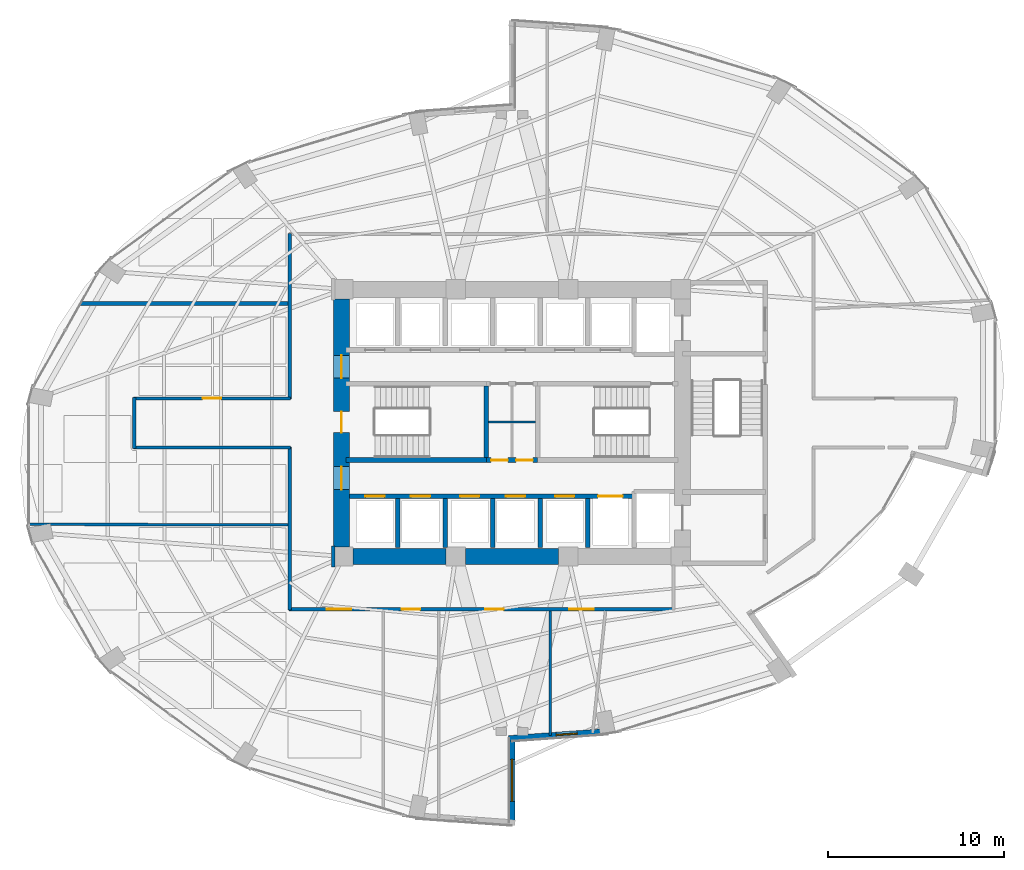
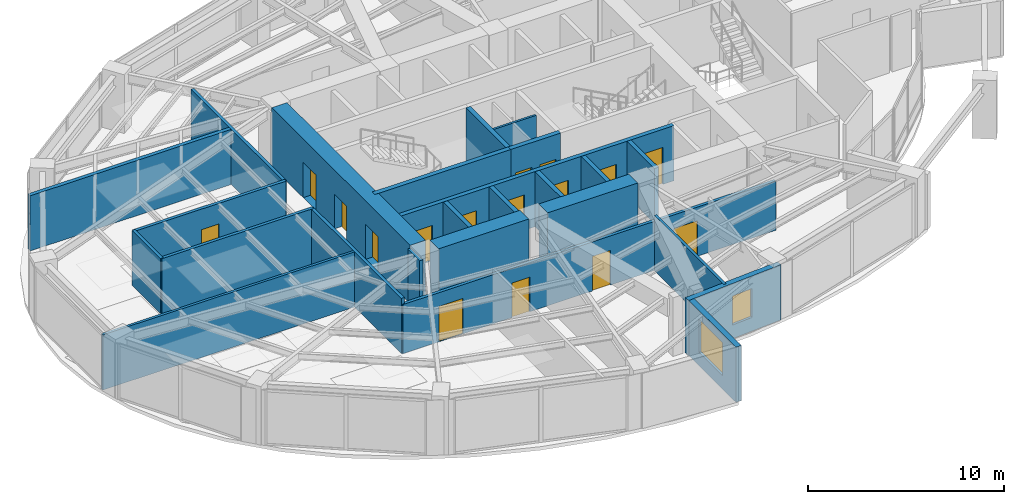
# One storey, part 20 of 24: 25 walls, 16 doors, 2 windows, 18 openings.
"""IFC4 building model written with IfcOpenShell, lengths in metres."""

from ifc_helpers import new_model, si_unit, direction, frame, frame_2d, origin, place, context, subcontext, project, spatial, rectangle, extrude, material, layer, layer_set, type_object, element, fill, save


model = new_model("IFC4")

# Units and contexts
model_context = context("Model", 3, precision=1e-05, world=origin(), true_north=direction((0.0, 1.0)))
body_context = subcontext(model_context, "Body", "Model", "MODEL_VIEW")
ifc_project = project(units=[si_unit("LENGTHUNIT", "METRE"), si_unit("AREAUNIT", "SQUARE_METRE"), si_unit("VOLUMEUNIT", "CUBIC_METRE"), si_unit("PLANEANGLEUNIT", "RADIAN"), si_unit("MASSUNIT", "GRAM", prefix="KILO")], contexts=[model_context])

# Site, building, storey
site_placement = place(None, origin())
site = spatial("IfcSite", under=ifc_project, at=site_placement, CompositionType="ELEMENT")
building_placement = place(site_placement, origin())
building = spatial("IfcBuilding", under=site, at=building_placement, Name="Lazwardi Medical Tower", CompositionType="ELEMENT")
storey_placement = place(building_placement, frame((0.0, 0.0, 61.679931640625)))
storey = spatial("IfcBuildingStorey", under=building, at=storey_placement, Name="L15", CompositionType="ELEMENT", Elevation=61.679931640625)

# Wall
ifc_material_1 = material(Name="Fire-rated gypsum board on steel stud", Category="steel")
ifc_layer_1 = layer(ifc_material_1, 0.179931640625)
ifc_layer_set_1 = layer_set([ifc_layer_1], Name="Fire-rated gypsum board on steel stud")
wall_type_1 = type_object("IfcWallType", Name="WL-COR-180", PredefinedType="PARTITIONING", material=ifc_layer_set_1)
wall_1_placement = place(storey_placement, frame((14.5, 26.56005859375, 0.0), z_axis=(0.0, 0.0, 1.0), x_axis=(0.0, 1.0, 0.0)))
element("IfcWall", 1, at=wall_1_placement, inside=storey, type_object=wall_type_1, Name="L15 Corridor partition 1", PredefinedType="PARTITIONING", context=body_context, shape_type="SweptSolid", body=[
    extrude(rectangle(XDim=2.8798828125, YDim=0.179931640625, at=frame_2d((1.43994140625, 0.0))), origin(), (0.0, 0.0, 1.0), 3.427978515625),
])

# Wall, opening, door
wall_2_placement = place(storey_placement, frame((14.4599609375, 29.39990234375, 0.0), z_axis=(0.0, 0.0, 1.0), x_axis=(1.0, 0.0, 0.0)))
wall_2 = element("IfcWall", 2, at=wall_2_placement, inside=storey, type_object=wall_type_1, Name="L15 Corridor partition 2", PredefinedType="PARTITIONING", context=body_context, shape_type="SweptSolid", body=[
    extrude(rectangle(XDim=8.929931640625, YDim=0.179931640625, at=frame_2d((4.46484375, 0.0))), origin(), (0.0, 0.0, 1.0), 3.427978515625),
])
opening_1_placement = place(wall_2_placement, frame((3.93994140625, 0.0, 0.0)))
opening_1 = element("IfcOpeningElement", 3, at=opening_1_placement, cuts=wall_2, Name="Opening D-L15-016", PredefinedType="OPENING", context=body_context, shape_type="SweptSolid", body=[
    extrude(rectangle(XDim=1.050048828125, YDim=2.14990234375, at=frame_2d((0.52490234375, 1.074951171875))), frame((0.0, 0.099853515625, 0.0), z_axis=(0.0, -1.0, 0.0), x_axis=(1.0, 0.0, 0.0)), (0.0, 0.0, 1.0), 0.199951171875),
])
ifc_material_2 = material(Name="Anti-microbial laminate hospital leaf")
door_type_1 = type_object("IfcDoorType", Name="DR-CLN-1050", OperationType="NOTDEFINED", PredefinedType="DOOR", material=ifc_material_2)
door_1_placement = place(opening_1_placement, origin())
door_1 = element("IfcDoor", 4, at=door_1_placement, inside=storey, type_object=door_type_1, Name="L15 Clinical Specialist Office Door 08", OperationType="SINGLE_SWING_LEFT", OverallHeight=2.14990234375, OverallWidth=1.050048828125, PredefinedType="DOOR", context=body_context, shape_type="SweptSolid", body=[
    extrude(rectangle(XDim=1.050048828125, YDim=2.14990234375, at=frame_2d((0.52490234375, 1.074951171875))), frame((0.0, 0.02490234375, 0.0), z_axis=(0.0, -1.0, 0.0), x_axis=(1.0, 0.0, 0.0)), (0.0, 0.0, 1.0), 0.050048828125),
])
fill(opening_1, door_1)

# Walls
wall_3_placement = place(storey_placement, frame((23.35009765625, 29.360107421875, 0.0), z_axis=(0.0, 0.0, 1.0), x_axis=(0.0, 1.0, 0.0)))
element("IfcWall", 5, at=wall_3_placement, inside=storey, type_object=wall_type_1, Name="L15 Corridor partition 3", PredefinedType="PARTITIONING", context=body_context, shape_type="SweptSolid", body=[
    extrude(rectangle(XDim=9.429931640625, YDim=0.179931640625, at=frame_2d((4.71484375, 0.0))), origin(), (0.0, 0.0, 1.0), 3.427978515625),
])
wall_4_placement = place(storey_placement, frame((25.830078125, 21.010009765625, 0.0), z_axis=(0.0, 0.0, 1.0), x_axis=(0.0, -1.0, 0.0)))
element("IfcWall", 6, at=wall_4_placement, inside=storey, type_object=wall_type_1, Name="L15 Corridor partition 15", PredefinedType="PARTITIONING", context=body_context, shape_type="SweptSolid", body=[
    extrude(rectangle(XDim=1.219970703125, YDim=0.179931640625, at=frame_2d((0.60986328125, 0.0))), origin(), (0.0, 0.0, 1.0), 3.427978515625),
])

# Wall, openings, doors
wall_5_placement = place(storey_placement, frame((45.239990234375, 17.39990234375, 0.0), z_axis=(0.0, 0.0, 1.0), x_axis=(-1.0, 0.0, 0.0)))
wall_5 = element("IfcWall", 7, at=wall_5_placement, inside=storey, type_object=wall_type_1, Name="L15 Corridor partition 17", PredefinedType="PARTITIONING", context=body_context, shape_type="SweptSolid", body=[
    extrude(rectangle(XDim=21.929931640625, YDim=0.179931640625, at=frame_2d((10.96484375, 0.0))), origin(), (0.0, 0.0, 1.0), 3.052978515625),
])
opening_2_placement = place(wall_5_placement, frame((18.39111328125, 0.0, 0.0)))
opening_2 = element("IfcOpeningElement", 8, at=opening_2_placement, cuts=wall_5, Name="Opening D-L15-009", PredefinedType="OPENING", context=body_context, shape_type="SweptSolid", body=[
    extrude(rectangle(XDim=1.39990234375, YDim=2.199951171875, at=frame_2d((0.699951171875, 1.10009765625))), frame((0.0, 0.099853515625, 0.0), z_axis=(0.0, -1.0, 0.0), x_axis=(1.0, 0.0, 0.0)), (0.0, 0.0, 1.0), 0.199951171875),
])
opening_3_placement = place(wall_5_placement, frame((14.465087890625, 0.0, 0.0)))
opening_3 = element("IfcOpeningElement", 9, at=opening_3_placement, cuts=wall_5, Name="Opening D-L15-010", PredefinedType="OPENING", context=body_context, shape_type="SweptSolid", body=[
    extrude(rectangle(XDim=1.050048828125, YDim=2.14990234375, at=frame_2d((0.52490234375, 1.074951171875))), frame((0.0, 0.099853515625, 0.0), z_axis=(0.0, -1.0, 0.0), x_axis=(1.0, 0.0, 0.0)), (0.0, 0.0, 1.0), 0.199951171875),
])
opening_4_placement = place(wall_5_placement, frame((9.715087890625, 0.0, 0.0)))
opening_4 = element("IfcOpeningElement", 10, at=opening_4_placement, cuts=wall_5, Name="Opening D-L15-011", PredefinedType="OPENING", context=body_context, shape_type="SweptSolid", body=[
    extrude(rectangle(XDim=1.050048828125, YDim=2.14990234375, at=frame_2d((0.52490234375, 1.074951171875))), frame((0.0, 0.099853515625, 0.0), z_axis=(0.0, -1.0, 0.0), x_axis=(1.0, 0.0, 0.0)), (0.0, 0.0, 1.0), 0.199951171875),
])
opening_5_placement = place(wall_5_placement, frame((4.594482421875, 0.0, 0.0)))
opening_5 = element("IfcOpeningElement", 11, at=opening_5_placement, cuts=wall_5, Name="Opening D-L15-012", PredefinedType="OPENING", context=body_context, shape_type="SweptSolid", body=[
    extrude(rectangle(XDim=1.39990234375, YDim=2.199951171875, at=frame_2d((0.699951171875, 1.10009765625))), frame((0.0, 0.099853515625, 0.0), z_axis=(0.0, -1.0, 0.0), x_axis=(1.0, 0.0, 0.0)), (0.0, 0.0, 1.0), 0.199951171875),
])
door_type_2 = type_object("IfcDoorType", Name="DR-BED-1400", OperationType="NOTDEFINED", PredefinedType="DOOR", material=ifc_material_2)
door_2_placement = place(opening_2_placement, origin())
door_2 = element("IfcDoor", 12, at=door_2_placement, inside=storey, type_object=door_type_2, Name="L15 Sky Garden Lounge Door 01", OperationType="SINGLE_SWING_RIGHT", OverallHeight=2.199951171875, OverallWidth=1.39990234375, PredefinedType="DOOR", context=body_context, shape_type="SweptSolid", body=[
    extrude(rectangle(XDim=1.39990234375, YDim=2.199951171875, at=frame_2d((0.699951171875, 1.10009765625))), frame((0.0, 0.02490234375, 0.0), z_axis=(0.0, -1.0, 0.0), x_axis=(1.0, 0.0, 0.0)), (0.0, 0.0, 1.0), 0.050048828125),
])
fill(opening_2, door_2)
door_3_placement = place(opening_5_placement, origin())
door_3 = element("IfcDoor", 13, at=door_3_placement, inside=storey, type_object=door_type_2, Name="L15 Department Reception Foyer Door 04", OperationType="SINGLE_SWING_LEFT", OverallHeight=2.199951171875, OverallWidth=1.39990234375, PredefinedType="DOOR", context=body_context, shape_type="SweptSolid", body=[
    extrude(rectangle(XDim=1.39990234375, YDim=2.199951171875, at=frame_2d((0.699951171875, 1.10009765625))), frame((0.0, 0.02490234375, 0.0), z_axis=(0.0, -1.0, 0.0), x_axis=(1.0, 0.0, 0.0)), (0.0, 0.0, 1.0), 0.050048828125),
])
fill(opening_5, door_3)
door_4_placement = place(opening_3_placement, origin())
door_4 = element("IfcDoor", 14, at=door_4_placement, inside=storey, type_object=door_type_1, Name="L15 Outpatient Consultation Suite Door 02", OperationType="SINGLE_SWING_LEFT", OverallHeight=2.14990234375, OverallWidth=1.050048828125, PredefinedType="DOOR", context=body_context, shape_type="SweptSolid", body=[
    extrude(rectangle(XDim=1.050048828125, YDim=2.14990234375, at=frame_2d((0.52490234375, 1.074951171875))), frame((0.0, 0.02490234375, 0.0), z_axis=(0.0, -1.0, 0.0), x_axis=(1.0, 0.0, 0.0)), (0.0, 0.0, 1.0), 0.050048828125),
])
fill(opening_3, door_4)
door_5_placement = place(opening_4_placement, origin())
door_5 = element("IfcDoor", 15, at=door_5_placement, inside=storey, type_object=door_type_1, Name="L15 Medical Duty Staff Room Door 03", OperationType="SINGLE_SWING_RIGHT", OverallHeight=2.14990234375, OverallWidth=1.050048828125, PredefinedType="DOOR", context=body_context, shape_type="SweptSolid", body=[
    extrude(rectangle(XDim=1.050048828125, YDim=2.14990234375, at=frame_2d((0.52490234375, 1.074951171875))), frame((0.0, 0.02490234375, 0.0), z_axis=(0.0, -1.0, 0.0), x_axis=(1.0, 0.0, 0.0)), (0.0, 0.0, 1.0), 0.050048828125),
])
fill(opening_4, door_5)

# Walls
wall_6_placement = place(storey_placement, frame((23.35009765625, 17.360107421875, 0.0), z_axis=(0.0, 0.0, 1.0), x_axis=(0.0, 1.0, 0.0)))
element("IfcWall", 16, at=wall_6_placement, inside=storey, type_object=wall_type_1, Name="L15 Corridor partition 18", PredefinedType="PARTITIONING", context=body_context, shape_type="SweptSolid", body=[
    extrude(rectangle(XDim=9.27978515625, YDim=0.179931640625, at=frame_2d((4.639892578125, 0.0))), origin(), (0.0, 0.0, 1.0), 3.427978515625),
])
wall_7_placement = place(storey_placement, frame((23.389892578125, 26.60009765625, 0.0), z_axis=(0.0, 0.0, 1.0), x_axis=(-1.0, 0.0, 0.0)))
element("IfcWall", 17, at=wall_7_placement, inside=storey, type_object=wall_type_1, Name="L15 Corridor partition 19", PredefinedType="PARTITIONING", context=body_context, shape_type="SweptSolid", body=[
    extrude(rectangle(XDim=8.929931640625, YDim=0.179931640625, at=frame_2d((4.46484375, 0.0))), origin(), (0.0, 0.0, 1.0), 3.427978515625),
])

# Wall, openings, doors
ifc_material_3 = material(Name="Concrete C80/95", Category="concrete")
ifc_layer_2 = layer(ifc_material_3, 0.89990234375)
ifc_layer_set_2 = layer_set([ifc_layer_2], Name="Concrete C80/95")
wall_type_2 = type_object("IfcWallType", Name="WL-CORE-900", PredefinedType="SHEAR", material=ifc_layer_set_2)
wall_8_placement = place(storey_placement, frame((26.300048828125, 20.949951171875, 0.0), z_axis=(0.0, 0.0, 1.0), x_axis=(0.0, 1.0, 0.0)))
wall_8 = element("IfcWall", 18, at=wall_8_placement, inside=storey, type_object=wall_type_2, Name="Core wall CW-S1 west L15", PredefinedType="SHEAR", context=body_context, shape_type="SweptSolid", body=[
    extrude(rectangle(XDim=14.10009765625, YDim=0.89990234375, at=frame_2d((7.050048828125, 0.0))), origin(), (0.0, 0.0, 1.0), 3.64794921875),
])
opening_6_placement = place(wall_8_placement, frame((6.5, 0.0, 0.0)))
opening_6 = element("IfcOpeningElement", 19, at=opening_6_placement, cuts=wall_8, Name="Opening D-L15-017", PredefinedType="OPENING", context=body_context, shape_type="SweptSolid", body=[
    extrude(rectangle(XDim=1.199951171875, YDim=2.14990234375, at=frame_2d((0.60009765625, 1.074951171875))), frame((0.0, 0.4599609375, 0.0), z_axis=(0.0, -1.0, 0.0), x_axis=(1.0, 0.0, 0.0)), (0.0, 0.0, 1.0), 0.919921875),
])
opening_7_placement = place(wall_8_placement, frame((9.60009765625, 0.0, 0.0)))
opening_7 = element("IfcOpeningElement", 20, at=opening_7_placement, cuts=wall_8, Name="Opening D-L15-007", PredefinedType="OPENING", context=body_context, shape_type="SweptSolid", body=[
    extrude(rectangle(XDim=1.300048828125, YDim=2.199951171875, at=frame_2d((0.64990234375, 1.10009765625))), frame((0.0, 0.4599609375, 0.0), z_axis=(0.0, -1.0, 0.0), x_axis=(1.0, 0.0, 0.0)), (0.0, 0.0, 1.0), 0.919921875),
])
opening_8_placement = place(wall_8_placement, frame((3.260009765625, 0.0, 0.0)))
opening_8 = element("IfcOpeningElement", 21, at=opening_8_placement, cuts=wall_8, Name="Opening D-L15-008", PredefinedType="OPENING", context=body_context, shape_type="SweptSolid", body=[
    extrude(rectangle(XDim=1.300048828125, YDim=2.199951171875, at=frame_2d((0.64990234375, 1.10009765625))), frame((0.0, 0.4599609375, 0.0), z_axis=(0.0, -1.0, 0.0), x_axis=(1.0, 0.0, 0.0)), (0.0, 0.0, 1.0), 0.919921875),
])
ifc_material_4 = material(Name="Fire-rated steel leaf and frame", Category="steel")
door_type_3 = type_object("IfcDoorType", Name="DR-FFL-1300", OperationType="NOTDEFINED", PredefinedType="DOOR", material=ifc_material_4)
door_6_placement = place(opening_7_placement, origin())
door_6 = element("IfcDoor", 22, at=door_6_placement, inside=storey, type_object=door_type_3, Name="L15 North Lift Lobby Door", OperationType="SINGLE_SWING_LEFT", OverallHeight=2.199951171875, OverallWidth=1.300048828125, PredefinedType="DOOR", context=body_context, shape_type="SweptSolid", body=[
    extrude(rectangle(XDim=1.300048828125, YDim=2.199951171875, at=frame_2d((0.64990234375, 1.10009765625))), frame((0.0, 0.02490234375, 0.0), z_axis=(0.0, -1.0, 0.0), x_axis=(1.0, 0.0, 0.0)), (0.0, 0.0, 1.0), 0.050048828125),
])
fill(opening_7, door_6)
door_7_placement = place(opening_8_placement, origin())
door_7 = element("IfcDoor", 23, at=door_7_placement, inside=storey, type_object=door_type_3, Name="L15 South Lift Lobby Door", OperationType="SINGLE_SWING_RIGHT", OverallHeight=2.199951171875, OverallWidth=1.300048828125, PredefinedType="DOOR", context=body_context, shape_type="SweptSolid", body=[
    extrude(rectangle(XDim=1.300048828125, YDim=2.199951171875, at=frame_2d((0.64990234375, 1.10009765625))), frame((0.0, 0.02490234375, 0.0), z_axis=(0.0, -1.0, 0.0), x_axis=(1.0, 0.0, 0.0)), (0.0, 0.0, 1.0), 0.050048828125),
])
fill(opening_8, door_7)
door_type_4 = type_object("IfcDoorType", Name="DR-STR-1200", OperationType="NOTDEFINED", PredefinedType="DOOR", material=ifc_material_4)
door_8_placement = place(opening_6_placement, origin())
door_8 = element("IfcDoor", 24, at=door_8_placement, inside=storey, type_object=door_type_4, Name="L15 Exit Stair ST1 Door", OperationType="SINGLE_SWING_LEFT", OverallHeight=2.14990234375, OverallWidth=1.199951171875, PredefinedType="DOOR", context=body_context, shape_type="SweptSolid", body=[
    extrude(rectangle(XDim=1.199951171875, YDim=2.14990234375, at=frame_2d((0.60009765625, 1.074951171875))), frame((0.0, 0.02490234375, 0.0), z_axis=(0.0, -1.0, 0.0), x_axis=(1.0, 0.0, 0.0)), (0.0, 0.0, 1.0), 0.050048828125),
])
fill(opening_6, door_8)

# Walls
wall_9_placement = place(storey_placement, frame((26.949951171875, 20.39990234375, 0.0), z_axis=(0.0, 0.0, 1.0), x_axis=(1.0, 0.0, 0.0)))
element("IfcWall", 25, at=wall_9_placement, inside=storey, type_object=wall_type_2, Name="Core wall CW-S1 S1 L15", PredefinedType="SHEAR", context=body_context, shape_type="SweptSolid", body=[
    extrude(rectangle(XDim=5.300048828125, YDim=0.89990234375, at=frame_2d((2.64990234375, 0.0))), origin(), (0.0, 0.0, 1.0), 3.64794921875),
])
wall_10_placement = place(storey_placement, frame((33.35009765625, 20.39990234375, 0.0), z_axis=(0.0, 0.0, 1.0), x_axis=(1.0, 0.0, 0.0)))
element("IfcWall", 26, at=wall_10_placement, inside=storey, type_object=wall_type_2, Name="Core wall CW-S1 S2 L15", PredefinedType="SHEAR", context=body_context, shape_type="SweptSolid", body=[
    extrude(rectangle(XDim=5.2998046875, YDim=0.89990234375, at=frame_2d((2.64990234375, 0.0))), origin(), (0.0, 0.0, 1.0), 3.64794921875),
])
ifc_material_5 = material(Name="Moisture-resistant gypsum board partition")
ifc_layer_3 = layer(ifc_material_5, 0.125)
ifc_layer_set_3 = layer_set([ifc_layer_3], Name="Moisture-resistant gypsum board partition")
wall_type_3 = type_object("IfcWallType", Name="WL-ENS-125", PredefinedType="PARTITIONING", material=ifc_layer_set_3)
wall_11_placement = place(storey_placement, frame((34.64990234375, 28.06005859375, 0.0), z_axis=(0.0, 0.0, 1.0), x_axis=(1.0, 0.0, 0.0)))
element("IfcWall", 27, at=wall_11_placement, inside=storey, type_object=wall_type_3, Name="L15 Core 4-way H divider", PredefinedType="PARTITIONING", context=body_context, shape_type="SweptSolid", body=[
    extrude(rectangle(XDim=2.7001953125, YDim=0.125, at=frame_2d((1.35009765625, 0.0))), origin(), (0.0, 0.0, 1.0), 3.427978515625),
])

# Wall, opening, window
ifc_material_6 = material(Name="Precast concrete C45/55", Category="concrete")
ifc_layer_4 = layer(ifc_material_6, 0.320068359375)
ifc_layer_set_4 = layer_set([ifc_layer_4], Name="Precast concrete C45/55")
wall_type_4 = type_object("IfcWallType", Name="WL-IWAN-320", PredefinedType="SOLIDWALL", material=ifc_layer_set_4)
wall_12_placement = place(storey_placement, frame((35.820556640625, 10.047119140625, 0.0), z_axis=(0.0, 0.0, 1.0), x_axis=(0.997422321809, 0.071754525696, 0.0)))
wall_12 = element("IfcWall", 28, at=wall_12_placement, inside=storey, type_object=wall_type_4, Name="L15 Iwan Portal Return Wall SE_ret", PredefinedType="SOLIDWALL", context=body_context, shape_type="SweptSolid", body=[
    extrude(rectangle(XDim=5.67529296875, YDim=0.320068359375, at=frame_2d((2.837646484375, 0.0))), origin(), (0.0, 0.0, 1.0), 3.427978515625),
])
opening_9_placement = place(wall_12_placement, frame((2.69677734375, 0.0, 0.85009765625)))
opening_9 = element("IfcOpeningElement", 29, at=opening_9_placement, cuts=wall_12, Name="Opening WN-04", PredefinedType="OPENING", context=body_context, shape_type="SweptSolid", body=[
    extrude(rectangle(XDim=1.199951171875, YDim=1.800048828125, at=frame_2d((0.60009765625, 0.89990234375))), frame((0.0, 0.169921875, 0.0), z_axis=(0.0, -1.0, 0.0), x_axis=(1.0, 0.0, 0.0)), (0.0, 0.0, 1.0), 0.340087890625),
])
ifc_material_7 = material(Name="Low-e bronze solar control double glazing", Category="glass")
window_type_1 = type_object("IfcWindowType", Name="WIN-DRUM-1200", PartitioningType="SINGLE_PANEL", PredefinedType="WINDOW", material=ifc_material_7)
window_1_placement = place(opening_9_placement, origin())
window_1 = element("IfcWindow", 30, at=window_1_placement, inside=storey, type_object=window_type_1, Name="L15 Iwan Slot Window SE_ret", OverallHeight=1.800048828125, OverallWidth=1.199951171875, PartitioningType="SINGLE_PANEL", PredefinedType="WINDOW", context=body_context, shape_type="SweptSolid", body=[
    extrude(rectangle(XDim=1.199951171875, YDim=1.800048828125, at=frame_2d((0.60009765625, 0.89990234375))), frame((0.0, 0.030029296875, 0.0), z_axis=(0.0, -1.0, 0.0), x_axis=(1.0, 0.0, 0.0)), (0.0, 0.0, 1.0), 0.06005859375),
])
fill(opening_9, window_1)

wall_13_placement = place(storey_placement, frame((36.0, 5.10009765625, 0.0), z_axis=(0.0, 0.0, 1.0), x_axis=(0.0, 1.0, 0.0)))
wall_13 = element("IfcWall", 31, at=wall_13_placement, inside=storey, type_object=wall_type_4, Name="L15 Turquoise Tilework Iwan Seam Wall S_seam", PredefinedType="SOLIDWALL", context=body_context, shape_type="SweptSolid", body=[
    extrude(rectangle(XDim=5.119873046875, YDim=0.320068359375, at=frame_2d((2.56005859375, 0.0))), origin(), (0.0, 0.0, 1.0), 3.427978515625),
])
opening_10_placement = place(wall_13_placement, frame((1.360107421875, 0.0, 0.840087890625)))
opening_10 = element("IfcOpeningElement", 32, at=opening_10_placement, cuts=wall_13, Name="Opening WN-02", PredefinedType="OPENING", context=body_context, shape_type="SweptSolid", body=[
    extrude(rectangle(XDim=2.39990234375, YDim=2.0400390625, at=frame_2d((1.199951171875, 1.02001953125))), frame((0.0, 0.169921875, 0.0), z_axis=(0.0, -1.0, 0.0), x_axis=(1.0, 0.0, 0.0)), (0.0, 0.0, 1.0), 0.340087890625),
])
window_type_2 = type_object("IfcWindowType", Name="WIN-IW-2400", PartitioningType="SINGLE_PANEL", PredefinedType="WINDOW", material=ifc_material_7)
window_2_placement = place(opening_10_placement, origin())
window_2 = element("IfcWindow", 33, at=window_2_placement, inside=storey, type_object=window_type_2, Name="L15 Iwan Seam Window S_seam", OverallHeight=2.0400390625, OverallWidth=2.39990234375, PartitioningType="SINGLE_PANEL", PredefinedType="WINDOW", context=body_context, shape_type="SweptSolid", body=[
    extrude(rectangle(XDim=2.39990234375, YDim=2.0400390625, at=frame_2d((1.199951171875, 1.02001953125))), frame((0.0, 0.030029296875, 0.0), z_axis=(0.0, -1.0, 0.0), x_axis=(1.0, 0.0, 0.0)), (0.0, 0.0, 1.0), 0.06005859375),
])
fill(opening_10, window_2)

# Wall, openings, doors
ifc_material_8 = material(Name="Autoclaved aerated concrete blockwork", Category="masonry")
ifc_layer_5 = layer(ifc_material_8, 0.25)
ifc_layer_set_5 = layer_set([ifc_layer_5], Name="Autoclaved aerated concrete blockwork")
wall_type_5 = type_object("IfcWallType", Name="WL-SHAFT-250", PredefinedType="SOLIDWALL", material=ifc_layer_set_5)
wall_14_placement = place(storey_placement, frame((26.75, 23.830078125, 0.0), z_axis=(0.0, 0.0, 1.0), x_axis=(1.0, 0.0, 0.0)))
wall_14 = element("IfcWall", 34, at=wall_14_placement, inside=storey, type_object=wall_type_5, Name="L15 South lift bank front wall", PredefinedType="SOLIDWALL", context=body_context, shape_type="SweptSolid", body=[
    extrude(rectangle(XDim=16.199951171875, YDim=0.25, at=frame_2d((8.10009765625, 0.0))), origin(), (0.0, 0.0, 1.0), 3.427978515625),
])
opening_11_placement = place(wall_14_placement, frame((0.89990234375, 0.0, 0.0)))
opening_11 = element("IfcOpeningElement", 35, at=opening_11_placement, cuts=wall_14, Name="Opening LD-L15-006", PredefinedType="OPENING", context=body_context, shape_type="SweptSolid", body=[
    extrude(rectangle(XDim=1.10009765625, YDim=2.199951171875, at=frame_2d((0.550048828125, 1.10009765625))), frame((0.0, 0.135009765625, 0.0), z_axis=(0.0, -1.0, 0.0), x_axis=(1.0, 0.0, 0.0)), (0.0, 0.0, 1.0), 0.27001953125),
])
opening_12_placement = place(wall_14_placement, frame((3.5, 0.0, 0.0)))
opening_12 = element("IfcOpeningElement", 36, at=opening_12_placement, cuts=wall_14, Name="Opening LD-L15-007", PredefinedType="OPENING", context=body_context, shape_type="SweptSolid", body=[
    extrude(rectangle(XDim=1.10009765625, YDim=2.199951171875, at=frame_2d((0.550048828125, 1.10009765625))), frame((0.0, 0.135009765625, 0.0), z_axis=(0.0, -1.0, 0.0), x_axis=(1.0, 0.0, 0.0)), (0.0, 0.0, 1.0), 0.27001953125),
])
opening_13_placement = place(wall_14_placement, frame((6.300048828125, 0.0, 0.0)))
opening_13 = element("IfcOpeningElement", 37, at=opening_13_placement, cuts=wall_14, Name="Opening LD-L15-010", PredefinedType="OPENING", context=body_context, shape_type="SweptSolid", body=[
    extrude(rectangle(XDim=1.10009765625, YDim=2.199951171875, at=frame_2d((0.550048828125, 1.10009765625))), frame((0.0, 0.135009765625, 0.0), z_axis=(0.0, -1.0, 0.0), x_axis=(1.0, 0.0, 0.0)), (0.0, 0.0, 1.0), 0.27001953125),
])
opening_14_placement = place(wall_14_placement, frame((8.89990234375, 0.0, 0.0)))
opening_14 = element("IfcOpeningElement", 38, at=opening_14_placement, cuts=wall_14, Name="Opening LD-L15-011", PredefinedType="OPENING", context=body_context, shape_type="SweptSolid", body=[
    extrude(rectangle(XDim=1.10009765625, YDim=2.199951171875, at=frame_2d((0.550048828125, 1.10009765625))), frame((0.0, 0.135009765625, 0.0), z_axis=(0.0, -1.0, 0.0), x_axis=(1.0, 0.0, 0.0)), (0.0, 0.0, 1.0), 0.27001953125),
])
opening_15_placement = place(wall_14_placement, frame((11.699951171875, 0.0, 0.0)))
opening_15 = element("IfcOpeningElement", 39, at=opening_15_placement, cuts=wall_14, Name="Opening LD-L15-014", PredefinedType="OPENING", context=body_context, shape_type="SweptSolid", body=[
    extrude(rectangle(XDim=1.10009765625, YDim=2.199951171875, at=frame_2d((0.550048828125, 1.10009765625))), frame((0.0, 0.135009765625, 0.0), z_axis=(0.0, -1.0, 0.0), x_axis=(1.0, 0.0, 0.0)), (0.0, 0.0, 1.0), 0.27001953125),
])
opening_16_placement = place(wall_14_placement, frame((14.14990234375, 0.0, 0.0)))
opening_16 = element("IfcOpeningElement", 40, at=opening_16_placement, cuts=wall_14, Name="Opening LD-L15-003", PredefinedType="OPENING", context=body_context, shape_type="SweptSolid", body=[
    extrude(rectangle(XDim=1.39990234375, YDim=2.300048828125, at=frame_2d((0.699951171875, 1.14990234375))), frame((0.0, 0.135009765625, 0.0), z_axis=(0.0, -1.0, 0.0), x_axis=(1.0, 0.0, 0.0)), (0.0, 0.0, 1.0), 0.27001953125),
])
ifc_material_9 = material(Name="Brushed bronze stainless steel landing door", Category="steel")
door_type_5 = type_object("IfcDoorType", Name="DR-LFT-1100", OperationType="NOTDEFINED", PredefinedType="DOOR", material=ifc_material_9)
door_9_placement = place(opening_11_placement, origin())
door_9 = element("IfcDoor", 41, at=door_9_placement, inside=storey, type_object=door_type_5, Name="L15 Lift Landing Door PL-03", OperationType="SLIDING_TO_LEFT", OverallHeight=2.199951171875, OverallWidth=1.10009765625, PredefinedType="DOOR", context=body_context, shape_type="SweptSolid", body=[
    extrude(rectangle(XDim=1.10009765625, YDim=2.199951171875, at=frame_2d((0.550048828125, 1.10009765625))), frame((0.0, 0.02490234375, 0.0), z_axis=(0.0, -1.0, 0.0), x_axis=(1.0, 0.0, 0.0)), (0.0, 0.0, 1.0), 0.050048828125),
])
fill(opening_11, door_9)
door_10_placement = place(opening_12_placement, origin())
door_10 = element("IfcDoor", 42, at=door_10_placement, inside=storey, type_object=door_type_5, Name="L15 Lift Landing Door PL-04", OperationType="SLIDING_TO_LEFT", OverallHeight=2.199951171875, OverallWidth=1.10009765625, PredefinedType="DOOR", context=body_context, shape_type="SweptSolid", body=[
    extrude(rectangle(XDim=1.10009765625, YDim=2.199951171875, at=frame_2d((0.550048828125, 1.10009765625))), frame((0.0, 0.02490234375, 0.0), z_axis=(0.0, -1.0, 0.0), x_axis=(1.0, 0.0, 0.0)), (0.0, 0.0, 1.0), 0.050048828125),
])
fill(opening_12, door_10)
door_11_placement = place(opening_13_placement, origin())
door_11 = element("IfcDoor", 43, at=door_11_placement, inside=storey, type_object=door_type_5, Name="L15 Lift Landing Door PL-07", OperationType="SLIDING_TO_LEFT", OverallHeight=2.199951171875, OverallWidth=1.10009765625, PredefinedType="DOOR", context=body_context, shape_type="SweptSolid", body=[
    extrude(rectangle(XDim=1.10009765625, YDim=2.199951171875, at=frame_2d((0.550048828125, 1.10009765625))), frame((0.0, 0.02490234375, 0.0), z_axis=(0.0, -1.0, 0.0), x_axis=(1.0, 0.0, 0.0)), (0.0, 0.0, 1.0), 0.050048828125),
])
fill(opening_13, door_11)
door_12_placement = place(opening_14_placement, origin())
door_12 = element("IfcDoor", 44, at=door_12_placement, inside=storey, type_object=door_type_5, Name="L15 Lift Landing Door PL-08", OperationType="SLIDING_TO_LEFT", OverallHeight=2.199951171875, OverallWidth=1.10009765625, PredefinedType="DOOR", context=body_context, shape_type="SweptSolid", body=[
    extrude(rectangle(XDim=1.10009765625, YDim=2.199951171875, at=frame_2d((0.550048828125, 1.10009765625))), frame((0.0, 0.02490234375, 0.0), z_axis=(0.0, -1.0, 0.0), x_axis=(1.0, 0.0, 0.0)), (0.0, 0.0, 1.0), 0.050048828125),
])
fill(opening_14, door_12)
door_13_placement = place(opening_15_placement, origin())
door_13 = element("IfcDoor", 45, at=door_13_placement, inside=storey, type_object=door_type_5, Name="L15 Lift Landing Door PL-11", OperationType="SLIDING_TO_LEFT", OverallHeight=2.199951171875, OverallWidth=1.10009765625, PredefinedType="DOOR", context=body_context, shape_type="SweptSolid", body=[
    extrude(rectangle(XDim=1.10009765625, YDim=2.199951171875, at=frame_2d((0.550048828125, 1.10009765625))), frame((0.0, 0.02490234375, 0.0), z_axis=(0.0, -1.0, 0.0), x_axis=(1.0, 0.0, 0.0)), (0.0, 0.0, 1.0), 0.050048828125),
])
fill(opening_15, door_13)
ifc_material_10 = material(Name="Brushed stainless steel bed-lift landing door", Category="steel")
door_type_6 = type_object("IfcDoorType", Name="DR-LFT-1400", OperationType="NOTDEFINED", PredefinedType="DOOR", material=ifc_material_10)
door_14_placement = place(opening_16_placement, origin())
door_14 = element("IfcDoor", 46, at=door_14_placement, inside=storey, type_object=door_type_6, Name="L15 Lift Landing Door FL-03", OperationType="SLIDING_TO_LEFT", OverallHeight=2.300048828125, OverallWidth=1.39990234375, PredefinedType="DOOR", context=body_context, shape_type="SweptSolid", body=[
    extrude(rectangle(XDim=1.39990234375, YDim=2.300048828125, at=frame_2d((0.699951171875, 1.14990234375))), frame((0.0, 0.02490234375, 0.0), z_axis=(0.0, -1.0, 0.0), x_axis=(1.0, 0.0, 0.0)), (0.0, 0.0, 1.0), 0.050048828125),
])
fill(opening_16, door_14)

# Walls
for number, where, z_axis, x_axis, name in (
    (47, (29.5, 20.89990234375, 0.0), (0.0, 0.0, 1.0), (0.0, 1.0, 0.0), "L15 South hoistway divider"),
    (48, (32.199951171875, 20.89990234375, 0.0), (0.0, 0.0, 1.0), (0.0, 1.0, 0.0), "L15 South hoistway divider"),
    (49, (34.89990234375, 20.89990234375, 0.0), (0.0, 0.0, 1.0), (0.0, 1.0, 0.0), "L15 South hoistway divider"),
    (50, (37.60009765625, 20.89990234375, 0.0), (0.0, 0.0, 1.0), (0.0, 1.0, 0.0), "L15 South hoistway divider"),
    (51, (40.300048828125, 20.89990234375, 0.0), (0.0, 0.0, 1.0), (0.0, 1.0, 0.0), "L15 South hoistway divider"),
):
    element("IfcWall", number, at=place(storey_placement, frame(where, z_axis=z_axis, x_axis=x_axis)), inside=storey, type_object=wall_type_5, Name=name, PredefinedType="SOLIDWALL", context=body_context, shape_type="SweptSolid", body=[
        extrude(rectangle(XDim=2.800048828125, YDim=0.25, at=frame_2d((1.39990234375, 0.0))), origin(), (0.0, 0.0, 1.0), 3.427978515625),
    ])
ifc_layer_6 = layer(ifc_material_1, 0.219970703125)
ifc_layer_set_6 = layer_set([ifc_layer_6], Name="Fire-rated gypsum board on steel stud")
wall_type_6 = type_object("IfcWallType", Name="WL-SMK-220", PredefinedType="PARTITIONING", material=ifc_layer_set_6)
wall_15_placement = place(storey_placement, frame((11.45068359375, 34.800048828125, 0.0), z_axis=(0.0, 0.0, 1.0), x_axis=(1.0, 0.0, 0.0)))
element("IfcWall", 52, at=wall_15_placement, inside=storey, type_object=wall_type_6, Name="L15 Room partition 2", PredefinedType="PARTITIONING", context=body_context, shape_type="SweptSolid", body=[
    extrude(rectangle(XDim=11.809326171875, YDim=0.219970703125, at=frame_2d((5.90478515625, 0.0))), origin(), (0.0, 0.0, 1.0), 3.427978515625),
])
ifc_material_11 = material(Name="Concrete C50/60", Category="concrete")
ifc_layer_7 = layer(ifc_material_11, 0.27001953125)
ifc_layer_set_7 = layer_set([ifc_layer_7], Name="Concrete C50/60")
wall_type_7 = type_object("IfcWallType", Name="WL-STR-250", PredefinedType="SHEAR", material=ifc_layer_set_7)
wall_16_placement = place(storey_placement, frame((26.550048828125, 25.885009765625, 0.0), z_axis=(0.0, 0.0, 1.0), x_axis=(1.0, 0.0, 0.0)))
element("IfcWall", 53, at=wall_16_placement, inside=storey, type_object=wall_type_7, Name="L15 ST1 South shear shaft wall SW-S1", PredefinedType="SHEAR", context=body_context, shape_type="SweptSolid", body=[
    extrude(rectangle(XDim=7.98486328125, YDim=0.27001953125, at=frame_2d((3.992431640625, 0.0))), origin(), (0.0, 0.0, 1.0), 3.64794921875),
])

# Wall, openings, doors
wall_17_placement = place(storey_placement, frame((34.534912109375, 25.885009765625, 0.0), z_axis=(0.0, 0.0, 1.0), x_axis=(1.0, 0.0, 0.0)))
wall_17 = element("IfcWall", 54, at=wall_17_placement, inside=storey, type_object=wall_type_7, Name="L15 Core service South shear wall SW-S1", PredefinedType="SHEAR", context=body_context, shape_type="SweptSolid", body=[
    extrude(rectangle(XDim=2.93017578125, YDim=0.27001953125, at=frame_2d((1.465087890625, 0.0))), origin(), (0.0, 0.0, 1.0), 3.64794921875),
])
opening_17_placement = place(wall_17_placement, frame((0.280029296875, 0.0, 0.0)))
opening_17 = element("IfcOpeningElement", 55, at=opening_17_placement, cuts=wall_17, Name="Opening D-L15-001", PredefinedType="OPENING", context=body_context, shape_type="SweptSolid", body=[
    extrude(rectangle(XDim=0.949951171875, YDim=2.10009765625, at=frame_2d((0.47509765625, 1.050048828125))), frame((0.0, 0.14501953125, 0.0), z_axis=(0.0, -1.0, 0.0), x_axis=(1.0, 0.0, 0.0)), (0.0, 0.0, 1.0), 0.2900390625),
])
opening_18_placement = place(wall_17_placement, frame((1.699951171875, 0.0, 0.0)))
opening_18 = element("IfcOpeningElement", 56, at=opening_18_placement, cuts=wall_17, Name="Opening D-L15-002", PredefinedType="OPENING", context=body_context, shape_type="SweptSolid", body=[
    extrude(rectangle(XDim=0.949951171875, YDim=2.10009765625, at=frame_2d((0.47509765625, 1.050048828125))), frame((0.0, 0.14501953125, 0.0), z_axis=(0.0, -1.0, 0.0), x_axis=(1.0, 0.0, 0.0)), (0.0, 0.0, 1.0), 0.2900390625),
])
ifc_material_12 = material(Name="Moisture-resistant laminate door leaf")
door_type_7 = type_object("IfcDoorType", Name="DR-ENS-950", OperationType="NOTDEFINED", PredefinedType="DOOR", material=ifc_material_12)
door_15_placement = place(opening_17_placement, origin())
door_15 = element("IfcDoor", 57, at=door_15_placement, inside=storey, type_object=door_type_7, Name="L15 Staff WC Door", OperationType="SINGLE_SWING_LEFT", OverallHeight=2.10009765625, OverallWidth=0.949951171875, PredefinedType="DOOR", context=body_context, shape_type="SweptSolid", body=[
    extrude(rectangle(XDim=0.949951171875, YDim=2.10009765625, at=frame_2d((0.47509765625, 1.050048828125))), frame((0.0, 0.02490234375, 0.0), z_axis=(0.0, -1.0, 0.0), x_axis=(1.0, 0.0, 0.0)), (0.0, 0.0, 1.0), 0.050048828125),
])
fill(opening_17, door_15)
door_16_placement = place(opening_18_placement, origin())
door_16 = element("IfcDoor", 58, at=door_16_placement, inside=storey, type_object=door_type_7, Name="L15 Comms Room Door", OperationType="SINGLE_SWING_RIGHT", OverallHeight=2.10009765625, OverallWidth=0.949951171875, PredefinedType="DOOR", context=body_context, shape_type="SweptSolid", body=[
    extrude(rectangle(XDim=0.949951171875, YDim=2.10009765625, at=frame_2d((0.47509765625, 1.050048828125))), frame((0.0, 0.02490234375, 0.0), z_axis=(0.0, -1.0, 0.0), x_axis=(1.0, 0.0, 0.0)), (0.0, 0.0, 1.0), 0.050048828125),
])
fill(opening_18, door_16)

# Walls
wall_18_placement = place(storey_placement, frame((34.534912109375, 26.02001953125, 0.0), z_axis=(0.0, 0.0, 1.0), x_axis=(0.0, 1.0, 0.0)))
element("IfcWall", 59, at=wall_18_placement, inside=storey, type_object=wall_type_7, Name="L15 ST1 East shear shaft wall SW-S1", PredefinedType="SHEAR", context=body_context, shape_type="SweptSolid", body=[
    extrude(rectangle(XDim=4.080078125, YDim=0.27001953125, at=frame_2d((2.0400390625, 0.0))), origin(), (0.0, 0.0, 1.0), 3.64794921875),
])
ifc_material_13 = material(Name="Acoustic gypsum board partition")
ifc_layer_8 = layer(ifc_material_13, 0.14990234375)
ifc_layer_set_8 = layer_set([ifc_layer_8], Name="Acoustic gypsum board partition")
wall_type_8 = type_object("IfcWallType", Name="WL-WRD-150", PredefinedType="PARTITIONING", material=ifc_layer_set_8)
wall_19_placement = place(storey_placement, frame((8.492919921875, 22.2314453125, 0.0), z_axis=(0.0, 0.0, 1.0), x_axis=(0.999997760873, -0.002116187438, 0.0)))
element("IfcWall", 60, at=wall_19_placement, inside=storey, type_object=wall_type_8, Name="L15 Room partition 1", PredefinedType="PARTITIONING", context=body_context, shape_type="SweptSolid", body=[
    extrude(rectangle(XDim=14.76708984375, YDim=0.14990234375, at=frame_2d((7.383544921875, 0.0))), origin(), (0.0, 0.0, 1.0), 3.427978515625),
])
wall_20_placement = place(storey_placement, frame((38.169921875, 10.226806640625, 0.0), z_axis=(0.0, 0.0, 1.0), x_axis=(0.0, 1.0, 0.0)))
element("IfcWall", 61, at=wall_20_placement, inside=storey, type_object=wall_type_8, Name="L15 Room partition 7", PredefinedType="PARTITIONING", context=body_context, shape_type="SweptSolid", body=[
    extrude(rectangle(XDim=7.083251953125, YDim=0.14990234375, at=frame_2d((3.54150390625, 0.0))), origin(), (0.0, 0.0, 1.0), 3.427978515625),
])

save(model, "model.ifc")
